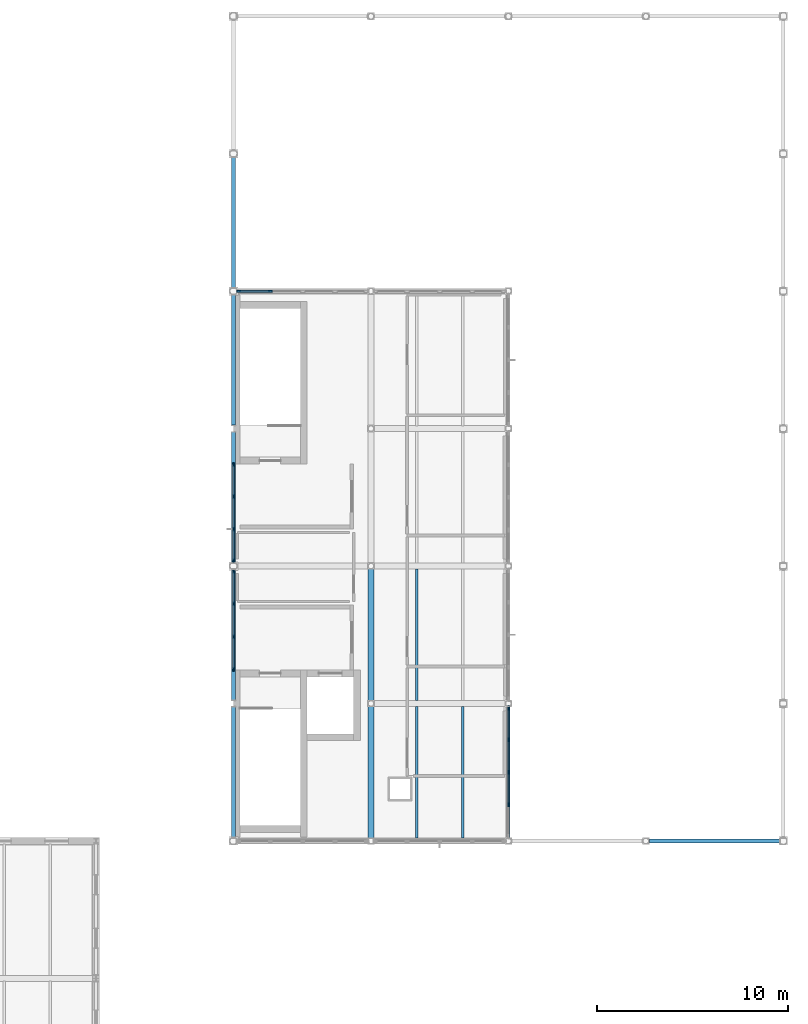
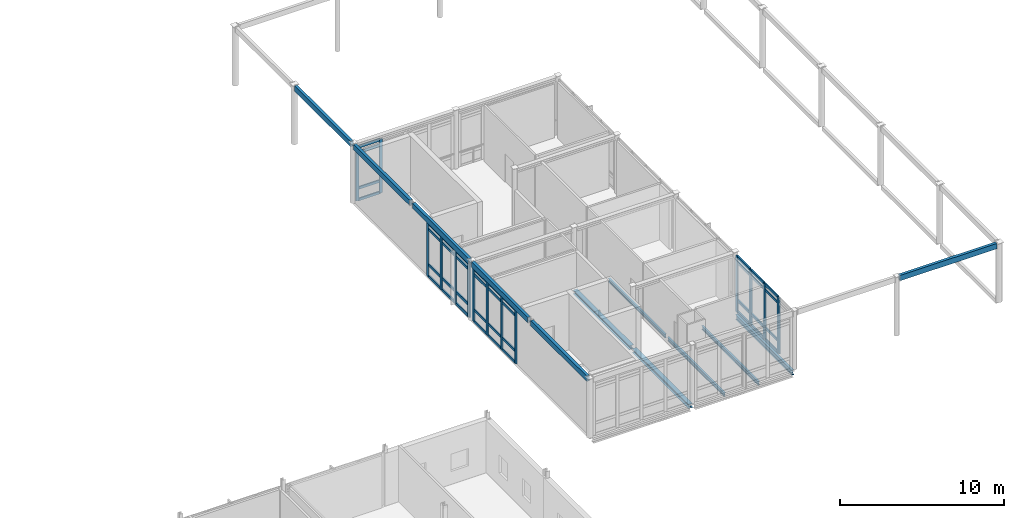
# One storey, part 24 of 72: 54 members, 12 beams, 4 elements without a shape of their own.
"""IFC4 building model written with IfcOpenShell, lengths in metres."""

from ifc_helpers import new_model, si_unit, direction, frame, origin, origin_2d, place, context, subcontext, project, spatial, rectangle, hollow_rectangle, i_section, extrude, material, layer, layer_set, material_profile, profile_set, type_object, element, aggregate, save


model = new_model("IFC4")

# Units and contexts
model_context = context("Model", 3, precision=1e-05, world=origin(), true_north=direction((0.0, 1.0)))
body_context = subcontext(model_context, "Body", "Model", "MODEL_VIEW")
ifc_project = project(units=[si_unit("LENGTHUNIT", "METRE"), si_unit("AREAUNIT", "SQUARE_METRE"), si_unit("VOLUMEUNIT", "CUBIC_METRE"), si_unit("PLANEANGLEUNIT", "RADIAN"), si_unit("MASSUNIT", "GRAM", prefix="KILO")], contexts=[model_context])

# Site, building, storey
site_placement = place(None, origin())
site = spatial("IfcSite", under=ifc_project, at=site_placement, CompositionType="ELEMENT")
building_placement = place(site_placement, origin())
building = spatial("IfcBuilding", under=site, at=building_placement, Name="Zarrinpeak Specialist Clinic", CompositionType="ELEMENT")
storey_placement = place(building_placement, frame((0.0, 0.0, 9.60009765625)))
storey = spatial("IfcBuildingStorey", under=building, at=storey_placement, Name="L02", CompositionType="ELEMENT", Elevation=9.60009765625)

# Beams
ifc_material_1 = material(Name="Steel S355", Category="steel")
ifc_material_profile_1 = material_profile(ifc_material_1, i_section(OverallWidth=0.300048828125, OverallDepth=0.2900390625, WebThickness=0.008544921875, FlangeThickness=0.013916015625, FilletRadius=0.027099609375, at=origin_2d()), Name="HEA 300")
ifc_profile_set_1 = profile_set([ifc_material_profile_1], Name="Steel S355")
beam_type_1 = type_object("IfcBeamType", Name="BM-HEA300", PredefinedType="BEAM", material=ifc_profile_set_1)
for number, where, z_axis, x_axis, name in (
    (1, (100.800048828125, 28.9599609375, -0.360107421875), (0.0, 1.0, 0.0), (-1.0, 0.0, 0.0), "L02 Primary Beam BM-L02-Y1323"),
    (2, (100.800048828125, 36.159912109375, -0.360107421875), (0.0, 1.0, 0.0), (-1.0, 0.0, 0.0), "L02 Primary Beam BM-L02-Y1324"),
):
    element("IfcBeam", number, at=place(storey_placement, frame(where, z_axis=z_axis, x_axis=x_axis)), inside=storey, type_object=beam_type_1, Name=name, PredefinedType="BEAM", context=body_context, shape_type="SweptSolid", body=[
        extrude(i_section(OverallWidth=0.300048828125, OverallDepth=0.2900390625, WebThickness=0.008544921875, FlangeThickness=0.013916015625, FilletRadius=0.027099609375, at=origin_2d()), origin(), (0.0, 0.0, 1.0), 6.880126953125),
    ])
ifc_material_profile_2 = material_profile(ifc_material_1, i_section(OverallWidth=0.135009765625, OverallDepth=0.27001953125, WebThickness=0.006591796875, FlangeThickness=0.01025390625, FilletRadius=0.014892578125, at=origin_2d()), Name="IPE 270")
ifc_profile_set_2 = profile_set([ifc_material_profile_2], Name="Steel S355")
beam_type_2 = type_object("IfcBeamType", Name="BM-JST270", PredefinedType="JOIST", material=ifc_profile_set_2)
for number, where, z_axis, x_axis, name in (
    (3, (103.199951171875, 28.947998046875, -0.35009765625), (0.0, 1.0, 0.0), (-1.0, 0.0, 0.0), "L02 Composite Floor Joist JST-L02-1415"),
    (4, (105.60009765625, 28.947998046875, -0.35009765625), (0.0, 1.0, 0.0), (-1.0, 0.0, 0.0), "L02 Composite Floor Joist JST-L02-1416"),
    (5, (103.199951171875, 36.14794921875, -0.35009765625), (0.0, 1.0, 0.0), (-1.0, 0.0, 0.0), "L02 Composite Floor Joist JST-L02-1417"),
):
    element("IfcBeam", number, at=place(storey_placement, frame(where, z_axis=z_axis, x_axis=x_axis)), inside=storey, type_object=beam_type_2, Name=name, PredefinedType="JOIST", context=body_context, shape_type="SweptSolid", body=[
        extrude(i_section(OverallWidth=0.135009765625, OverallDepth=0.27001953125, WebThickness=0.006591796875, FlangeThickness=0.01025390625, FilletRadius=0.014892578125, at=origin_2d()), origin(), (0.0, 0.0, 1.0), 6.904052734375),
    ])
ifc_material_profile_3 = material_profile(ifc_material_1, hollow_rectangle(XDim=0.199951171875, YDim=0.39990234375, WallThickness=0.01611328125, at=origin_2d()), Name="RHS 400x200x16.0")
ifc_profile_set_3 = profile_set([ifc_material_profile_3], Name="Steel S355")
beam_type_3 = type_object("IfcBeamType", Name="BM-RING400", PredefinedType="BEAM", material=ifc_profile_set_3)
for number, where, z_axis, x_axis, name in (
    (6, (115.3798828125, 28.800048828125, 4.199951171875), (1.0, 0.0, 0.0), (0.0, 1.0, 0.0), "V3 Gridshell Perimeter Ring Beam RB-V3-X2550"),
    (7, (93.60009765625, 28.97998046875, 4.199951171875), (0.0, 1.0, 0.0), (-1.0, 0.0, 0.0), "V3 Gridshell Perimeter Ring Beam RB-V3-Y2555"),
    (8, (93.60009765625, 36.179931640625, 4.199951171875), (0.0, 1.0, 0.0), (-1.0, 0.0, 0.0), "V3 Gridshell Perimeter Ring Beam RB-V3-Y2556"),
    (9, (93.60009765625, 43.3798828125, 4.199951171875), (0.0, 1.0, 0.0), (-1.0, 0.0, 0.0), "V3 Gridshell Perimeter Ring Beam RB-V3-Y2557"),
):
    element("IfcBeam", number, at=place(storey_placement, frame(where, z_axis=z_axis, x_axis=x_axis)), inside=storey, type_object=beam_type_3, Name=name, PredefinedType="BEAM", context=body_context, shape_type="SweptSolid", body=[
        extrude(hollow_rectangle(XDim=0.199951171875, YDim=0.39990234375, WallThickness=0.01611328125, at=origin_2d()), origin(), (0.0, 0.0, 1.0), 6.840087890625),
    ])
beam_1_placement = place(storey_placement, frame((93.60009765625, 50.580078125, 4.199951171875), z_axis=(0.0, 1.0, 0.0), x_axis=(-1.0, 0.0, 0.0)))
element("IfcBeam", 10, at=beam_1_placement, inside=storey, type_object=beam_type_3, Name="V3 Gridshell Perimeter Ring Beam RB-V3-Y2558", PredefinedType="BEAM", context=body_context, shape_type="SweptSolid", body=[
    extrude(hollow_rectangle(XDim=0.199951171875, YDim=0.39990234375, WallThickness=0.01611328125, at=origin_2d()), origin(), (0.0, 0.0, 1.0), 6.83984375),
])
beam_2_placement = place(storey_placement, frame((93.60009765625, 57.780029296875, 4.199951171875), z_axis=(0.0, 1.0, 0.0), x_axis=(-1.0, 0.0, 0.0)))
element("IfcBeam", 11, at=beam_2_placement, inside=storey, type_object=beam_type_3, Name="V3 Gridshell Perimeter Ring Beam RB-V3-Y2559", PredefinedType="BEAM", context=body_context, shape_type="SweptSolid", body=[
    extrude(hollow_rectangle(XDim=0.199951171875, YDim=0.39990234375, WallThickness=0.01611328125, at=origin_2d()), origin(), (0.0, 0.0, 1.0), 6.840087890625),
])
ifc_material_profile_4 = material_profile(ifc_material_1, i_section(OverallWidth=0.169921875, OverallDepth=0.360107421875, WebThickness=0.008056640625, FlangeThickness=0.0126953125, FilletRadius=0.01806640625, at=origin_2d()), Name="IPE 360")
ifc_profile_set_4 = profile_set([ifc_material_profile_4], Name="Steel S355")
beam_type_4 = type_object("IfcBeamType", Name="BM-SP360", PredefinedType="SPANDREL", material=ifc_profile_set_4)
beam_3_placement = place(storey_placement, frame((108.0, 28.9599609375, -0.39501953125), z_axis=(0.0, 1.0, 0.0), x_axis=(-1.0, 0.0, 0.0)))
element("IfcBeam", 12, at=beam_3_placement, inside=storey, type_object=beam_type_4, Name="L02 Perimeter Spandrel Beam BM-L02-Y1327", PredefinedType="SPANDREL", context=body_context, shape_type="SweptSolid", body=[
    extrude(i_section(OverallWidth=0.169921875, OverallDepth=0.360107421875, WebThickness=0.008056640625, FlangeThickness=0.0126953125, FilletRadius=0.01806640625, at=origin_2d()), origin(), (0.0, 0.0, 1.0), 6.880126953125),
])

# Curtain wall, members
ifc_material_2 = material(Name="Anodised Aluminium Alloy 6063-T6", Category="aluminium")
ifc_layer = layer(ifc_material_2, 0.199951171875)
ifc_layer_set = layer_set([ifc_layer], Name="Anodised Aluminium Alloy 6063-T6")
curtain_wall_type = type_object("IfcCurtainWallType", Name="CW-HALL", PredefinedType="NOTDEFINED", material=ifc_layer_set)
curtain_wall_1_placement = place(storey_placement, origin())
curtain_wall_1 = element("IfcCurtainWall", 13, at=curtain_wall_1_placement, inside=storey, type_object=curtain_wall_type, Name="L02 V3 Unitised Curtain Wall CW-L02-V3-113", PredefinedType="NOTDEFINED")
ifc_material_profile_5 = material_profile(ifc_material_2, rectangle(XDim=0.090087890625, YDim=0.219970703125, at=origin_2d()), Name="ALU 90x220")
ifc_profile_set_5 = profile_set([ifc_material_profile_5], Name="Anodised Aluminium Alloy 6063-T6")
member_type_1 = type_object("IfcMemberType", Name="CWM-90", PredefinedType="MULLION", material=ifc_profile_set_5)
member_1_placement = place(storey_placement, frame((95.5244140625, 57.60009765625, 0.0), z_axis=(0.0, 0.0, 1.0), x_axis=(0.0, -1.0, 0.0)))
member_1 = element("IfcMember", 14, at=member_1_placement, type_object=member_type_1, Name="CW-02 mullion 4", PredefinedType="MULLION", context=body_context, shape_type="SweptSolid", body=[
    extrude(rectangle(XDim=0.090087890625, YDim=0.219970703125, at=origin_2d()), origin(), (0.0, 0.0, 1.0), 4.0048828125),
])
member_2_placement = place(storey_placement, frame((93.873291015625, 57.60009765625, 0.0), z_axis=(0.0, 0.0, 1.0), x_axis=(0.0, -1.0, 0.0)))
member_2 = element("IfcMember", 15, at=member_2_placement, type_object=member_type_1, Name="CW-02 mullion 5", PredefinedType="MULLION", context=body_context, shape_type="SweptSolid", body=[
    extrude(rectangle(XDim=0.090087890625, YDim=0.219970703125, at=origin_2d()), origin(), (0.0, 0.0, 1.0), 4.0048828125),
])

curtain_wall_2_placement = place(storey_placement, origin())
curtain_wall_2 = element("IfcCurtainWall", 16, at=curtain_wall_2_placement, inside=storey, type_object=curtain_wall_type, Name="L02 V3 Unitised Curtain Wall CW-L02-V3-115", PredefinedType="NOTDEFINED")
member_3_placement = place(storey_placement, frame((93.60009765625, 42.9267578125, 0.0), z_axis=(0.0, 0.0, 1.0), x_axis=(1.0, 0.0, 0.0)))
member_3 = element("IfcMember", 17, at=member_3_placement, type_object=member_type_1, Name="CW-02 mullion 1", PredefinedType="MULLION", context=body_context, shape_type="SweptSolid", body=[
    extrude(rectangle(XDim=0.090087890625, YDim=0.219970703125, at=origin_2d()), origin(), (0.0, 0.0, 1.0), 3.98486328125),
])
member_4_placement = place(storey_placement, frame((93.60009765625, 41.231201171875, 0.0), z_axis=(0.0, 0.0, 1.0), x_axis=(1.0, 0.0, 0.0)))
member_4 = element("IfcMember", 18, at=member_4_placement, type_object=member_type_1, Name="CW-02 mullion 2", PredefinedType="MULLION", context=body_context, shape_type="SweptSolid", body=[
    extrude(rectangle(XDim=0.090087890625, YDim=0.219970703125, at=origin_2d()), origin(), (0.0, 0.0, 1.0), 3.98486328125),
])
member_5_placement = place(storey_placement, frame((93.60009765625, 39.490478515625, 0.0), z_axis=(0.0, 0.0, 1.0), x_axis=(1.0, 0.0, 0.0)))
member_5 = element("IfcMember", 19, at=member_5_placement, type_object=member_type_1, Name="CW-02 mullion 3", PredefinedType="MULLION", context=body_context, shape_type="SweptSolid", body=[
    extrude(rectangle(XDim=0.090087890625, YDim=0.219970703125, at=origin_2d()), origin(), (0.0, 0.0, 1.0), 3.98486328125),
])
member_6_placement = place(storey_placement, frame((93.60009765625, 37.794921875, 0.0), z_axis=(0.0, 0.0, 1.0), x_axis=(1.0, 0.0, 0.0)))
member_6 = element("IfcMember", 20, at=member_6_placement, type_object=member_type_1, Name="CW-02 mullion 4", PredefinedType="MULLION", context=body_context, shape_type="SweptSolid", body=[
    extrude(rectangle(XDim=0.090087890625, YDim=0.219970703125, at=origin_2d()), origin(), (0.0, 0.0, 1.0), 3.98486328125),
])

curtain_wall_3_placement = place(storey_placement, origin())
curtain_wall_3 = element("IfcCurtainWall", 21, at=curtain_wall_3_placement, inside=storey, type_object=curtain_wall_type, Name="L02 V3 Unitised Curtain Wall CW-L02-V3-116", PredefinedType="NOTDEFINED")
member_7_placement = place(storey_placement, frame((93.60009765625, 48.5048828125, 0.0), z_axis=(0.0, 0.0, 1.0), x_axis=(1.0, 0.0, 0.0)))
member_7 = element("IfcMember", 22, at=member_7_placement, type_object=member_type_1, Name="CW-02 mullion 1", PredefinedType="MULLION", context=body_context, shape_type="SweptSolid", body=[
    extrude(rectangle(XDim=0.090087890625, YDim=0.219970703125, at=origin_2d()), origin(), (0.0, 0.0, 1.0), 3.98486328125),
])
member_8_placement = place(storey_placement, frame((93.60009765625, 46.8427734375, 0.0), z_axis=(0.0, 0.0, 1.0), x_axis=(1.0, 0.0, 0.0)))
member_8 = element("IfcMember", 23, at=member_8_placement, type_object=member_type_1, Name="CW-02 mullion 2", PredefinedType="MULLION", context=body_context, shape_type="SweptSolid", body=[
    extrude(rectangle(XDim=0.090087890625, YDim=0.219970703125, at=origin_2d()), origin(), (0.0, 0.0, 1.0), 3.98486328125),
])
member_9_placement = place(storey_placement, frame((93.60009765625, 45.135498046875, 0.0), z_axis=(0.0, 0.0, 1.0), x_axis=(1.0, 0.0, 0.0)))
member_9 = element("IfcMember", 24, at=member_9_placement, type_object=member_type_1, Name="CW-02 mullion 3", PredefinedType="MULLION", context=body_context, shape_type="SweptSolid", body=[
    extrude(rectangle(XDim=0.090087890625, YDim=0.219970703125, at=origin_2d()), origin(), (0.0, 0.0, 1.0), 3.98486328125),
])
member_10_placement = place(storey_placement, frame((93.60009765625, 43.47314453125, 0.0), z_axis=(0.0, 0.0, 1.0), x_axis=(1.0, 0.0, 0.0)))
member_10 = element("IfcMember", 25, at=member_10_placement, type_object=member_type_1, Name="CW-02 mullion 4", PredefinedType="MULLION", context=body_context, shape_type="SweptSolid", body=[
    extrude(rectangle(XDim=0.090087890625, YDim=0.219970703125, at=origin_2d()), origin(), (0.0, 0.0, 1.0), 3.98486328125),
])

curtain_wall_4_placement = place(storey_placement, origin())
curtain_wall_4 = element("IfcCurtainWall", 26, at=curtain_wall_4_placement, inside=storey, type_object=curtain_wall_type, Name="L02 V3 Unitised Curtain Wall CW-L02-V3-117", PredefinedType="NOTDEFINED")
member_11_placement = place(storey_placement, frame((108.0, 30.693603515625, 0.0), z_axis=(0.0, 0.0, 1.0), x_axis=(-1.0, 0.0, 0.0)))
member_11 = element("IfcMember", 27, at=member_11_placement, type_object=member_type_1, Name="CW-02 mullion 2", PredefinedType="MULLION", context=body_context, shape_type="SweptSolid", body=[
    extrude(rectangle(XDim=0.090087890625, YDim=0.219970703125, at=origin_2d()), origin(), (0.0, 0.0, 1.0), 4.179931640625),
])
member_12_placement = place(storey_placement, frame((108.0, 32.39990234375, 0.0), z_axis=(0.0, 0.0, 1.0), x_axis=(-1.0, 0.0, 0.0)))
member_12 = element("IfcMember", 28, at=member_12_placement, type_object=member_type_1, Name="CW-02 mullion 3", PredefinedType="MULLION", context=body_context, shape_type="SweptSolid", body=[
    extrude(rectangle(XDim=0.090087890625, YDim=0.219970703125, at=origin_2d()), origin(), (0.0, 0.0, 1.0), 4.179931640625),
])
member_13_placement = place(storey_placement, frame((108.0, 34.1064453125, 0.0), z_axis=(0.0, 0.0, 1.0), x_axis=(-1.0, 0.0, 0.0)))
member_13 = element("IfcMember", 29, at=member_13_placement, type_object=member_type_1, Name="CW-02 mullion 4", PredefinedType="MULLION", context=body_context, shape_type="SweptSolid", body=[
    extrude(rectangle(XDim=0.090087890625, YDim=0.219970703125, at=origin_2d()), origin(), (0.0, 0.0, 1.0), 4.179931640625),
])
member_14_placement = place(storey_placement, frame((108.0, 35.76806640625, 0.0), z_axis=(0.0, 0.0, 1.0), x_axis=(-1.0, 0.0, 0.0)))
member_14 = element("IfcMember", 30, at=member_14_placement, type_object=member_type_1, Name="CW-02 mullion 5", PredefinedType="MULLION", context=body_context, shape_type="SweptSolid", body=[
    extrude(rectangle(XDim=0.090087890625, YDim=0.219970703125, at=origin_2d()), origin(), (0.0, 0.0, 1.0), 4.179931640625),
])

# Member
ifc_material_profile_6 = material_profile(ifc_material_2, rectangle(XDim=0.090087890625, YDim=0.18994140625, at=origin_2d()), Name="ALU 90x190")
ifc_profile_set_6 = profile_set([ifc_material_profile_6], Name="Anodised Aluminium Alloy 6063-T6")
member_type_2 = type_object("IfcMemberType", Name="CWT-90", PredefinedType="USERDEFINED", material=ifc_profile_set_6)
member_15_placement = place(storey_placement, frame((95.4794921875, 57.60009765625, 0.044921875), z_axis=(-1.0, 0.0, 0.0), x_axis=(0.0, -1.0, 0.0)))
member_15 = element("IfcMember", 31, at=member_15_placement, type_object=member_type_2, Name="CW-02 transom 4.1", ObjectType="TRANSOM", PredefinedType="USERDEFINED", context=body_context, shape_type="SweptSolid", body=[
    extrude(rectangle(XDim=0.090087890625, YDim=0.18994140625, at=origin_2d()), origin(), (0.0, 0.0, 1.0), 1.561279296875),
])

member_16_placement = place(storey_placement, frame((95.4794921875, 57.60009765625, 0.89990234375), z_axis=(-1.0, 0.0, 0.0), x_axis=(0.0, -1.0, 0.0)))
member_16 = element("IfcMember", 32, at=member_16_placement, type_object=member_type_2, Name="CW-02 transom 4.2", ObjectType="TRANSOM", PredefinedType="USERDEFINED", context=body_context, shape_type="SweptSolid", body=[
    extrude(rectangle(XDim=0.090087890625, YDim=0.18994140625, at=origin_2d()), origin(), (0.0, 0.0, 1.0), 1.561279296875),
])

member_17_placement = place(storey_placement, frame((95.4794921875, 57.60009765625, 3.554931640625), z_axis=(-1.0, 0.0, 0.0), x_axis=(0.0, -1.0, 0.0)))
member_17 = element("IfcMember", 33, at=member_17_placement, type_object=member_type_2, Name="CW-02 transom 4.3", ObjectType="TRANSOM", PredefinedType="USERDEFINED", context=body_context, shape_type="SweptSolid", body=[
    extrude(rectangle(XDim=0.090087890625, YDim=0.18994140625, at=origin_2d()), origin(), (0.0, 0.0, 1.0), 1.561279296875),
])

member_18_placement = place(storey_placement, frame((95.4794921875, 57.60009765625, 3.9599609375), z_axis=(-1.0, 0.0, 0.0), x_axis=(0.0, -1.0, 0.0)))
member_18 = element("IfcMember", 34, at=member_18_placement, type_object=member_type_2, Name="CW-02 transom 4.4", ObjectType="TRANSOM", PredefinedType="USERDEFINED", context=body_context, shape_type="SweptSolid", body=[
    extrude(rectangle(XDim=0.090087890625, YDim=0.18994140625, at=origin_2d()), origin(), (0.0, 0.0, 1.0), 1.561279296875),
])

aggregate(curtain_wall_1, [member_1, member_2, member_15, member_16, member_17, member_18])

member_19_placement = place(storey_placement, frame((93.60009765625, 42.8818359375, 0.044921875), z_axis=(0.0, -1.0, 0.0), x_axis=(1.0, 0.0, 0.0)))
member_19 = element("IfcMember", 35, at=member_19_placement, type_object=member_type_2, Name="CW-02 transom 1.1", ObjectType="TRANSOM", PredefinedType="USERDEFINED", context=body_context, shape_type="SweptSolid", body=[
    extrude(rectangle(XDim=0.090087890625, YDim=0.18994140625, at=origin_2d()), origin(), (0.0, 0.0, 1.0), 1.605712890625),
])

member_20_placement = place(storey_placement, frame((93.60009765625, 42.8818359375, 0.89990234375), z_axis=(0.0, -1.0, 0.0), x_axis=(1.0, 0.0, 0.0)))
member_20 = element("IfcMember", 36, at=member_20_placement, type_object=member_type_2, Name="CW-02 transom 1.2", ObjectType="TRANSOM", PredefinedType="USERDEFINED", context=body_context, shape_type="SweptSolid", body=[
    extrude(rectangle(XDim=0.090087890625, YDim=0.18994140625, at=origin_2d()), origin(), (0.0, 0.0, 1.0), 1.605712890625),
])

member_21_placement = place(storey_placement, frame((93.60009765625, 42.8818359375, 3.534912109375), z_axis=(0.0, -1.0, 0.0), x_axis=(1.0, 0.0, 0.0)))
member_21 = element("IfcMember", 37, at=member_21_placement, type_object=member_type_2, Name="CW-02 transom 1.3", ObjectType="TRANSOM", PredefinedType="USERDEFINED", context=body_context, shape_type="SweptSolid", body=[
    extrude(rectangle(XDim=0.090087890625, YDim=0.18994140625, at=origin_2d()), origin(), (0.0, 0.0, 1.0), 1.605712890625),
])

member_22_placement = place(storey_placement, frame((93.60009765625, 42.8818359375, 3.93994140625), z_axis=(0.0, -1.0, 0.0), x_axis=(1.0, 0.0, 0.0)))
member_22 = element("IfcMember", 38, at=member_22_placement, type_object=member_type_2, Name="CW-02 transom 1.4", ObjectType="TRANSOM", PredefinedType="USERDEFINED", context=body_context, shape_type="SweptSolid", body=[
    extrude(rectangle(XDim=0.090087890625, YDim=0.18994140625, at=origin_2d()), origin(), (0.0, 0.0, 1.0), 1.605712890625),
])

member_23_placement = place(storey_placement, frame((93.60009765625, 41.186279296875, 0.044921875), z_axis=(0.0, -1.0, 0.0), x_axis=(1.0, 0.0, 0.0)))
member_23 = element("IfcMember", 39, at=member_23_placement, type_object=member_type_2, Name="CW-02 transom 2.1", ObjectType="TRANSOM", PredefinedType="USERDEFINED", context=body_context, shape_type="SweptSolid", body=[
    extrude(rectangle(XDim=0.090087890625, YDim=0.18994140625, at=origin_2d()), origin(), (0.0, 0.0, 1.0), 1.650634765625),
])

member_24_placement = place(storey_placement, frame((93.60009765625, 41.186279296875, 0.89990234375), z_axis=(0.0, -1.0, 0.0), x_axis=(1.0, 0.0, 0.0)))
member_24 = element("IfcMember", 40, at=member_24_placement, type_object=member_type_2, Name="CW-02 transom 2.2", ObjectType="TRANSOM", PredefinedType="USERDEFINED", context=body_context, shape_type="SweptSolid", body=[
    extrude(rectangle(XDim=0.090087890625, YDim=0.18994140625, at=origin_2d()), origin(), (0.0, 0.0, 1.0), 1.650634765625),
])

member_25_placement = place(storey_placement, frame((93.60009765625, 41.186279296875, 3.534912109375), z_axis=(0.0, -1.0, 0.0), x_axis=(1.0, 0.0, 0.0)))
member_25 = element("IfcMember", 41, at=member_25_placement, type_object=member_type_2, Name="CW-02 transom 2.3", ObjectType="TRANSOM", PredefinedType="USERDEFINED", context=body_context, shape_type="SweptSolid", body=[
    extrude(rectangle(XDim=0.090087890625, YDim=0.18994140625, at=origin_2d()), origin(), (0.0, 0.0, 1.0), 1.650634765625),
])

member_26_placement = place(storey_placement, frame((93.60009765625, 41.186279296875, 3.93994140625), z_axis=(0.0, -1.0, 0.0), x_axis=(1.0, 0.0, 0.0)))
member_26 = element("IfcMember", 42, at=member_26_placement, type_object=member_type_2, Name="CW-02 transom 2.4", ObjectType="TRANSOM", PredefinedType="USERDEFINED", context=body_context, shape_type="SweptSolid", body=[
    extrude(rectangle(XDim=0.090087890625, YDim=0.18994140625, at=origin_2d()), origin(), (0.0, 0.0, 1.0), 1.650634765625),
])

member_27_placement = place(storey_placement, frame((93.60009765625, 39.445556640625, 0.044921875), z_axis=(0.0, -1.0, 0.0), x_axis=(1.0, 0.0, 0.0)))
member_27 = element("IfcMember", 43, at=member_27_placement, type_object=member_type_2, Name="CW-02 transom 3.1", ObjectType="TRANSOM", PredefinedType="USERDEFINED", context=body_context, shape_type="SweptSolid", body=[
    extrude(rectangle(XDim=0.090087890625, YDim=0.18994140625, at=origin_2d()), origin(), (0.0, 0.0, 1.0), 1.60546875),
])

member_28_placement = place(storey_placement, frame((93.60009765625, 39.445556640625, 0.89990234375), z_axis=(0.0, -1.0, 0.0), x_axis=(1.0, 0.0, 0.0)))
member_28 = element("IfcMember", 44, at=member_28_placement, type_object=member_type_2, Name="CW-02 transom 3.2", ObjectType="TRANSOM", PredefinedType="USERDEFINED", context=body_context, shape_type="SweptSolid", body=[
    extrude(rectangle(XDim=0.090087890625, YDim=0.18994140625, at=origin_2d()), origin(), (0.0, 0.0, 1.0), 1.60546875),
])

member_29_placement = place(storey_placement, frame((93.60009765625, 39.445556640625, 3.534912109375), z_axis=(0.0, -1.0, 0.0), x_axis=(1.0, 0.0, 0.0)))
member_29 = element("IfcMember", 45, at=member_29_placement, type_object=member_type_2, Name="CW-02 transom 3.3", ObjectType="TRANSOM", PredefinedType="USERDEFINED", context=body_context, shape_type="SweptSolid", body=[
    extrude(rectangle(XDim=0.090087890625, YDim=0.18994140625, at=origin_2d()), origin(), (0.0, 0.0, 1.0), 1.60546875),
])

member_30_placement = place(storey_placement, frame((93.60009765625, 39.445556640625, 3.93994140625), z_axis=(0.0, -1.0, 0.0), x_axis=(1.0, 0.0, 0.0)))
member_30 = element("IfcMember", 46, at=member_30_placement, type_object=member_type_2, Name="CW-02 transom 3.4", ObjectType="TRANSOM", PredefinedType="USERDEFINED", context=body_context, shape_type="SweptSolid", body=[
    extrude(rectangle(XDim=0.090087890625, YDim=0.18994140625, at=origin_2d()), origin(), (0.0, 0.0, 1.0), 1.60546875),
])

aggregate(curtain_wall_2, [member_3, member_4, member_5, member_6, member_19, member_20, member_21, member_22, member_23, member_24, member_25, member_26, member_27, member_28, member_29, member_30])

member_31_placement = place(storey_placement, frame((93.60009765625, 48.4599609375, 0.044921875), z_axis=(0.0, -1.0, 0.0), x_axis=(1.0, 0.0, 0.0)))
member_31 = element("IfcMember", 47, at=member_31_placement, type_object=member_type_2, Name="CW-02 transom 1.1", ObjectType="TRANSOM", PredefinedType="USERDEFINED", context=body_context, shape_type="SweptSolid", body=[
    extrude(rectangle(XDim=0.090087890625, YDim=0.18994140625, at=origin_2d()), origin(), (0.0, 0.0, 1.0), 1.572265625),
])

member_32_placement = place(storey_placement, frame((93.60009765625, 48.4599609375, 0.89990234375), z_axis=(0.0, -1.0, 0.0), x_axis=(1.0, 0.0, 0.0)))
member_32 = element("IfcMember", 48, at=member_32_placement, type_object=member_type_2, Name="CW-02 transom 1.2", ObjectType="TRANSOM", PredefinedType="USERDEFINED", context=body_context, shape_type="SweptSolid", body=[
    extrude(rectangle(XDim=0.090087890625, YDim=0.18994140625, at=origin_2d()), origin(), (0.0, 0.0, 1.0), 1.572265625),
])

member_33_placement = place(storey_placement, frame((93.60009765625, 48.4599609375, 3.534912109375), z_axis=(0.0, -1.0, 0.0), x_axis=(1.0, 0.0, 0.0)))
member_33 = element("IfcMember", 49, at=member_33_placement, type_object=member_type_2, Name="CW-02 transom 1.3", ObjectType="TRANSOM", PredefinedType="USERDEFINED", context=body_context, shape_type="SweptSolid", body=[
    extrude(rectangle(XDim=0.090087890625, YDim=0.18994140625, at=origin_2d()), origin(), (0.0, 0.0, 1.0), 1.572265625),
])

member_34_placement = place(storey_placement, frame((93.60009765625, 48.4599609375, 3.93994140625), z_axis=(0.0, -1.0, 0.0), x_axis=(1.0, 0.0, 0.0)))
member_34 = element("IfcMember", 50, at=member_34_placement, type_object=member_type_2, Name="CW-02 transom 1.4", ObjectType="TRANSOM", PredefinedType="USERDEFINED", context=body_context, shape_type="SweptSolid", body=[
    extrude(rectangle(XDim=0.090087890625, YDim=0.18994140625, at=origin_2d()), origin(), (0.0, 0.0, 1.0), 1.572265625),
])

member_35_placement = place(storey_placement, frame((93.60009765625, 46.7978515625, 0.044921875), z_axis=(0.0, -1.0, 0.0), x_axis=(1.0, 0.0, 0.0)))
member_35 = element("IfcMember", 51, at=member_35_placement, type_object=member_type_2, Name="CW-02 transom 2.1", ObjectType="TRANSOM", PredefinedType="USERDEFINED", context=body_context, shape_type="SweptSolid", body=[
    extrude(rectangle(XDim=0.090087890625, YDim=0.18994140625, at=origin_2d()), origin(), (0.0, 0.0, 1.0), 1.617431640625),
])

member_36_placement = place(storey_placement, frame((93.60009765625, 46.7978515625, 0.89990234375), z_axis=(0.0, -1.0, 0.0), x_axis=(1.0, 0.0, 0.0)))
member_36 = element("IfcMember", 52, at=member_36_placement, type_object=member_type_2, Name="CW-02 transom 2.2", ObjectType="TRANSOM", PredefinedType="USERDEFINED", context=body_context, shape_type="SweptSolid", body=[
    extrude(rectangle(XDim=0.090087890625, YDim=0.18994140625, at=origin_2d()), origin(), (0.0, 0.0, 1.0), 1.617431640625),
])

member_37_placement = place(storey_placement, frame((93.60009765625, 46.7978515625, 3.534912109375), z_axis=(0.0, -1.0, 0.0), x_axis=(1.0, 0.0, 0.0)))
member_37 = element("IfcMember", 53, at=member_37_placement, type_object=member_type_2, Name="CW-02 transom 2.3", ObjectType="TRANSOM", PredefinedType="USERDEFINED", context=body_context, shape_type="SweptSolid", body=[
    extrude(rectangle(XDim=0.090087890625, YDim=0.18994140625, at=origin_2d()), origin(), (0.0, 0.0, 1.0), 1.617431640625),
])

member_38_placement = place(storey_placement, frame((93.60009765625, 46.7978515625, 3.93994140625), z_axis=(0.0, -1.0, 0.0), x_axis=(1.0, 0.0, 0.0)))
member_38 = element("IfcMember", 54, at=member_38_placement, type_object=member_type_2, Name="CW-02 transom 2.4", ObjectType="TRANSOM", PredefinedType="USERDEFINED", context=body_context, shape_type="SweptSolid", body=[
    extrude(rectangle(XDim=0.090087890625, YDim=0.18994140625, at=origin_2d()), origin(), (0.0, 0.0, 1.0), 1.617431640625),
])

member_39_placement = place(storey_placement, frame((93.60009765625, 45.090576171875, 0.044921875), z_axis=(0.0, -1.0, 0.0), x_axis=(1.0, 0.0, 0.0)))
member_39 = element("IfcMember", 55, at=member_39_placement, type_object=member_type_2, Name="CW-02 transom 3.1", ObjectType="TRANSOM", PredefinedType="USERDEFINED", context=body_context, shape_type="SweptSolid", body=[
    extrude(rectangle(XDim=0.090087890625, YDim=0.18994140625, at=origin_2d()), origin(), (0.0, 0.0, 1.0), 1.572265625),
])

member_40_placement = place(storey_placement, frame((93.60009765625, 45.090576171875, 0.89990234375), z_axis=(0.0, -1.0, 0.0), x_axis=(1.0, 0.0, 0.0)))
member_40 = element("IfcMember", 56, at=member_40_placement, type_object=member_type_2, Name="CW-02 transom 3.2", ObjectType="TRANSOM", PredefinedType="USERDEFINED", context=body_context, shape_type="SweptSolid", body=[
    extrude(rectangle(XDim=0.090087890625, YDim=0.18994140625, at=origin_2d()), origin(), (0.0, 0.0, 1.0), 1.572265625),
])

member_41_placement = place(storey_placement, frame((93.60009765625, 45.090576171875, 3.534912109375), z_axis=(0.0, -1.0, 0.0), x_axis=(1.0, 0.0, 0.0)))
member_41 = element("IfcMember", 57, at=member_41_placement, type_object=member_type_2, Name="CW-02 transom 3.3", ObjectType="TRANSOM", PredefinedType="USERDEFINED", context=body_context, shape_type="SweptSolid", body=[
    extrude(rectangle(XDim=0.090087890625, YDim=0.18994140625, at=origin_2d()), origin(), (0.0, 0.0, 1.0), 1.572265625),
])

member_42_placement = place(storey_placement, frame((93.60009765625, 45.090576171875, 3.93994140625), z_axis=(0.0, -1.0, 0.0), x_axis=(1.0, 0.0, 0.0)))
member_42 = element("IfcMember", 58, at=member_42_placement, type_object=member_type_2, Name="CW-02 transom 3.4", ObjectType="TRANSOM", PredefinedType="USERDEFINED", context=body_context, shape_type="SweptSolid", body=[
    extrude(rectangle(XDim=0.090087890625, YDim=0.18994140625, at=origin_2d()), origin(), (0.0, 0.0, 1.0), 1.572265625),
])

aggregate(curtain_wall_3, [member_7, member_8, member_9, member_10, member_31, member_32, member_33, member_34, member_35, member_36, member_37, member_38, member_39, member_40, member_41, member_42])

member_43_placement = place(storey_placement, frame((108.0, 30.738525390625, 0.044921875), z_axis=(0.0, 1.0, 0.0), x_axis=(-1.0, 0.0, 0.0)))
member_43 = element("IfcMember", 59, at=member_43_placement, type_object=member_type_2, Name="CW-02 transom 2.1", ObjectType="TRANSOM", PredefinedType="USERDEFINED", context=body_context, shape_type="SweptSolid", body=[
    extrude(rectangle(XDim=0.090087890625, YDim=0.18994140625, at=origin_2d()), origin(), (0.0, 0.0, 1.0), 1.616455078125),
])

member_44_placement = place(storey_placement, frame((108.0, 30.738525390625, 0.89990234375), z_axis=(0.0, 1.0, 0.0), x_axis=(-1.0, 0.0, 0.0)))
member_44 = element("IfcMember", 60, at=member_44_placement, type_object=member_type_2, Name="CW-02 transom 2.2", ObjectType="TRANSOM", PredefinedType="USERDEFINED", context=body_context, shape_type="SweptSolid", body=[
    extrude(rectangle(XDim=0.090087890625, YDim=0.18994140625, at=origin_2d()), origin(), (0.0, 0.0, 1.0), 1.616455078125),
])

member_45_placement = place(storey_placement, frame((108.0, 30.738525390625, 3.72998046875), z_axis=(0.0, 1.0, 0.0), x_axis=(-1.0, 0.0, 0.0)))
member_45 = element("IfcMember", 61, at=member_45_placement, type_object=member_type_2, Name="CW-02 transom 2.3", ObjectType="TRANSOM", PredefinedType="USERDEFINED", context=body_context, shape_type="SweptSolid", body=[
    extrude(rectangle(XDim=0.090087890625, YDim=0.18994140625, at=origin_2d()), origin(), (0.0, 0.0, 1.0), 1.616455078125),
])

member_46_placement = place(storey_placement, frame((108.0, 30.738525390625, 4.135009765625), z_axis=(0.0, 1.0, 0.0), x_axis=(-1.0, 0.0, 0.0)))
member_46 = element("IfcMember", 62, at=member_46_placement, type_object=member_type_2, Name="CW-02 transom 2.4", ObjectType="TRANSOM", PredefinedType="USERDEFINED", context=body_context, shape_type="SweptSolid", body=[
    extrude(rectangle(XDim=0.090087890625, YDim=0.18994140625, at=origin_2d()), origin(), (0.0, 0.0, 1.0), 1.616455078125),
])

member_47_placement = place(storey_placement, frame((108.0, 32.445068359375, 0.044921875), z_axis=(0.0, 1.0, 0.0), x_axis=(-1.0, 0.0, 0.0)))
member_47 = element("IfcMember", 63, at=member_47_placement, type_object=member_type_2, Name="CW-02 transom 3.1", ObjectType="TRANSOM", PredefinedType="USERDEFINED", context=body_context, shape_type="SweptSolid", body=[
    extrude(rectangle(XDim=0.090087890625, YDim=0.18994140625, at=origin_2d()), origin(), (0.0, 0.0, 1.0), 1.616455078125),
])

member_48_placement = place(storey_placement, frame((108.0, 32.445068359375, 0.89990234375), z_axis=(0.0, 1.0, 0.0), x_axis=(-1.0, 0.0, 0.0)))
member_48 = element("IfcMember", 64, at=member_48_placement, type_object=member_type_2, Name="CW-02 transom 3.2", ObjectType="TRANSOM", PredefinedType="USERDEFINED", context=body_context, shape_type="SweptSolid", body=[
    extrude(rectangle(XDim=0.090087890625, YDim=0.18994140625, at=origin_2d()), origin(), (0.0, 0.0, 1.0), 1.616455078125),
])

member_49_placement = place(storey_placement, frame((108.0, 32.445068359375, 3.72998046875), z_axis=(0.0, 1.0, 0.0), x_axis=(-1.0, 0.0, 0.0)))
member_49 = element("IfcMember", 65, at=member_49_placement, type_object=member_type_2, Name="CW-02 transom 3.3", ObjectType="TRANSOM", PredefinedType="USERDEFINED", context=body_context, shape_type="SweptSolid", body=[
    extrude(rectangle(XDim=0.090087890625, YDim=0.18994140625, at=origin_2d()), origin(), (0.0, 0.0, 1.0), 1.616455078125),
])

member_50_placement = place(storey_placement, frame((108.0, 32.445068359375, 4.135009765625), z_axis=(0.0, 1.0, 0.0), x_axis=(-1.0, 0.0, 0.0)))
member_50 = element("IfcMember", 66, at=member_50_placement, type_object=member_type_2, Name="CW-02 transom 3.4", ObjectType="TRANSOM", PredefinedType="USERDEFINED", context=body_context, shape_type="SweptSolid", body=[
    extrude(rectangle(XDim=0.090087890625, YDim=0.18994140625, at=origin_2d()), origin(), (0.0, 0.0, 1.0), 1.616455078125),
])

member_51_placement = place(storey_placement, frame((108.0, 34.151611328125, 0.044921875), z_axis=(0.0, 1.0, 0.0), x_axis=(-1.0, 0.0, 0.0)))
member_51 = element("IfcMember", 67, at=member_51_placement, type_object=member_type_2, Name="CW-02 transom 4.1", ObjectType="TRANSOM", PredefinedType="USERDEFINED", context=body_context, shape_type="SweptSolid", body=[
    extrude(rectangle(XDim=0.090087890625, YDim=0.18994140625, at=origin_2d()), origin(), (0.0, 0.0, 1.0), 1.5712890625),
])

member_52_placement = place(storey_placement, frame((108.0, 34.151611328125, 0.89990234375), z_axis=(0.0, 1.0, 0.0), x_axis=(-1.0, 0.0, 0.0)))
member_52 = element("IfcMember", 68, at=member_52_placement, type_object=member_type_2, Name="CW-02 transom 4.2", ObjectType="TRANSOM", PredefinedType="USERDEFINED", context=body_context, shape_type="SweptSolid", body=[
    extrude(rectangle(XDim=0.090087890625, YDim=0.18994140625, at=origin_2d()), origin(), (0.0, 0.0, 1.0), 1.5712890625),
])

member_53_placement = place(storey_placement, frame((108.0, 34.151611328125, 3.72998046875), z_axis=(0.0, 1.0, 0.0), x_axis=(-1.0, 0.0, 0.0)))
member_53 = element("IfcMember", 69, at=member_53_placement, type_object=member_type_2, Name="CW-02 transom 4.3", ObjectType="TRANSOM", PredefinedType="USERDEFINED", context=body_context, shape_type="SweptSolid", body=[
    extrude(rectangle(XDim=0.090087890625, YDim=0.18994140625, at=origin_2d()), origin(), (0.0, 0.0, 1.0), 1.5712890625),
])

member_54_placement = place(storey_placement, frame((108.0, 34.151611328125, 4.135009765625), z_axis=(0.0, 1.0, 0.0), x_axis=(-1.0, 0.0, 0.0)))
member_54 = element("IfcMember", 70, at=member_54_placement, type_object=member_type_2, Name="CW-02 transom 4.4", ObjectType="TRANSOM", PredefinedType="USERDEFINED", context=body_context, shape_type="SweptSolid", body=[
    extrude(rectangle(XDim=0.090087890625, YDim=0.18994140625, at=origin_2d()), origin(), (0.0, 0.0, 1.0), 1.5712890625),
])

aggregate(curtain_wall_4, [member_11, member_12, member_13, member_14, member_43, member_44, member_45, member_46, member_47, member_48, member_49, member_50, member_51, member_52, member_53, member_54])

save(model, "model.ifc")
